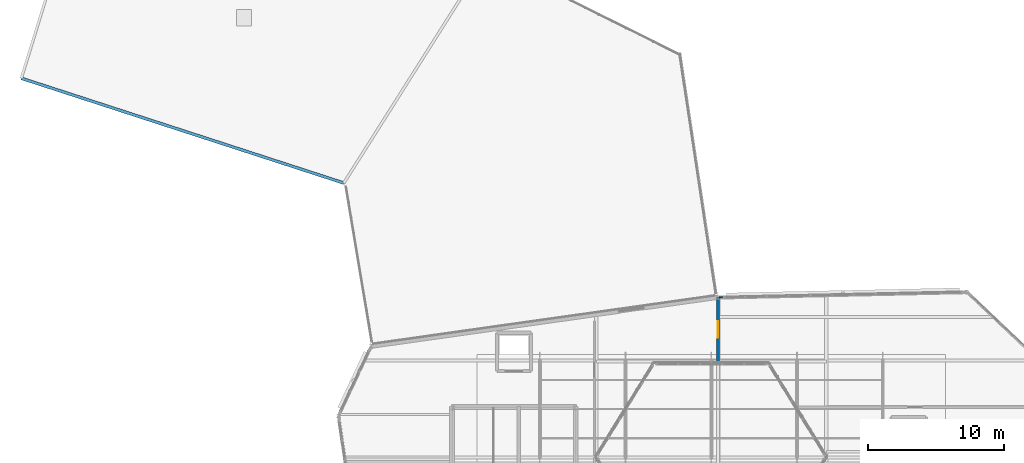
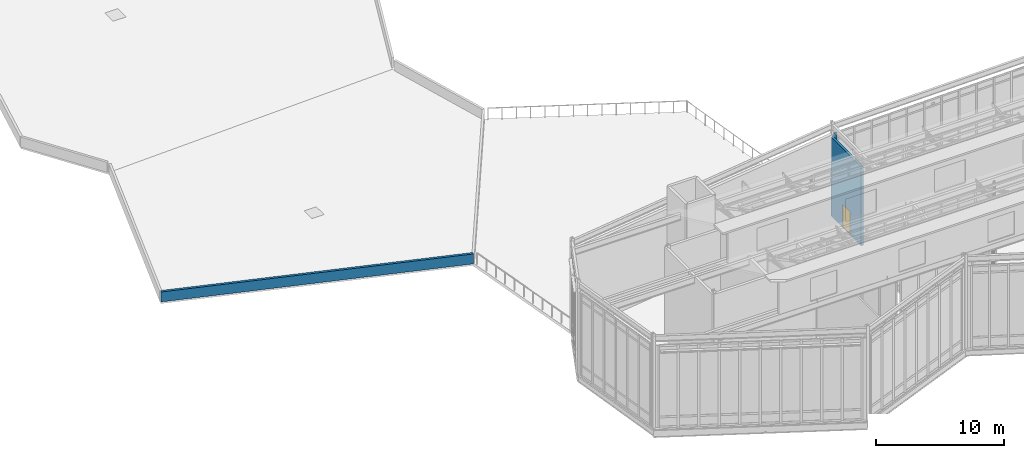
# One storey, part 55 of 66: 3 walls, 1 door, 1 opening.
"""IFC4 building model written with IfcOpenShell, lengths in metres."""

import ifcopenshell
import ifcopenshell.guid

model = None  # the IFC model being written
_history = None  # IfcOwnerHistory: only IFC2X3 demands one
_inside = {}  # id of a spatial element -> (the spatial element, [elements in it])
_under = {}  # id of a project, library or spatial element -> (it, [spatial elements below it])
_declared = {}  # id of a project -> (the project, [libraries it declares])
_typed = {}  # id of a type object -> (the type object, [elements of that type])
_made_of = {}  # id of a material, layer set ... -> (it, [elements and type objects made of it])


def new_model(schema):
    """Start an empty IFC model of exactly this schema.

    Asked for "IFC4X3", IfcOpenShell would pick the latest addendum, in which some entities
    have other attributes; the version numbers below select the first issue.
    IFC2X3 requires an IfcOwnerHistory on every rooted entity: one is made here for all.
    """
    global model, _history
    if schema == "IFC4X3":
        model = ifcopenshell.file(schema_version=(4, 3, 0, 0))
    else:
        model = ifcopenshell.file(schema=schema)
    _inside.clear()
    _under.clear()
    _declared.clear()
    _typed.clear()
    _made_of.clear()
    _history = None
    if model.schema == "IFC2X3":
        org = make("IfcOrganization", Name="unknown")
        user = make(
            "IfcPersonAndOrganization",
            ThePerson=make("IfcPerson", FamilyName="unknown"),
            TheOrganization=org,
        )
        app = make(
            "IfcApplication",
            ApplicationDeveloper=org,
            Version="unknown",
            ApplicationFullName="unknown",
            ApplicationIdentifier="unknown",
        )
        _history = make(
            "IfcOwnerHistory",
            OwningUser=user,
            OwningApplication=app,
            ChangeAction="ADDED",
            CreationDate=0,
        )
    return model


def make(cls, **values):
    """One entity of the class cls with the attributes given. An attribute that is None is left unset."""
    return model.create_entity(
        cls, **{name: value for name, value in values.items() if value is not None}
    )


def rooted(cls, **values):
    """An entity with a GlobalId (a new one), such as an element, a storey or a relation."""
    return make(cls, GlobalId=ifcopenshell.guid.new(), OwnerHistory=_history, **values)


def si_unit(unit_type, name, prefix=None):
    """IfcSIUnit, for example si_unit("LENGTHUNIT", "METRE", prefix="MILLI")."""
    return make("IfcSIUnit", UnitType=unit_type, Prefix=prefix, Name=name)


def assignment(units):
    """IfcUnitAssignment: the units of a project."""
    return None if units is None else make("IfcUnitAssignment", Units=units)


def point(xyz):
    """IfcCartesianPoint."""
    return None if xyz is None else make("IfcCartesianPoint", Coordinates=xyz)


def direction(xyz):
    """IfcDirection."""
    return None if xyz is None else make("IfcDirection", DirectionRatios=xyz)


def frame(location, z_axis=None, x_axis=None):
    """IfcAxis2Placement3D, a coordinate frame: its origin and axes. An axis left out is left unset."""
    return make(
        "IfcAxis2Placement3D",
        Location=point(location),
        Axis=direction(z_axis),
        RefDirection=direction(x_axis),
    )


def frame_2d(location, x_axis=None):
    """IfcAxis2Placement2D, a coordinate frame in the plane: its origin and x axis."""
    return make(
        "IfcAxis2Placement2D", Location=point(location), RefDirection=direction(x_axis)
    )


def origin():
    """The frame at (0, 0, 0) with its axes left unset."""
    return frame((0.0, 0.0, 0.0))


def place(relative_to, where):
    """IfcLocalPlacement: puts the frame where relative to a parent placement (None: the world)."""
    return make(
        "IfcLocalPlacement", PlacementRelTo=relative_to, RelativePlacement=where
    )


def context(
    kind, dimensions, precision=None, world=None, true_north=None, identifier=None
):
    """IfcGeometricRepresentationContext, for example the 3D "Model" context."""
    return make(
        "IfcGeometricRepresentationContext",
        ContextIdentifier=identifier,
        ContextType=kind,
        CoordinateSpaceDimension=dimensions,
        Precision=precision,
        WorldCoordinateSystem=world,
        TrueNorth=true_north,
    )


def subcontext(parent, identifier, kind, view, scale=None):
    """IfcGeometricRepresentationSubContext, for example "Body" below "Model"."""
    return make(
        "IfcGeometricRepresentationSubContext",
        ContextIdentifier=identifier,
        ContextType=kind,
        ParentContext=parent,
        TargetScale=scale,
        TargetView=view,
    )


def project(units=None, contexts=None):
    """IfcProject with its units and contexts."""
    return rooted(
        "IfcProject",
        Name="project",
        RepresentationContexts=contexts,
        UnitsInContext=assignment(units),
    )


def spatial(cls, under=None, at=None, **own):
    """A site, building, storey or space (cls), placed at a placement, below another one or the project."""
    s = rooted(cls, ObjectPlacement=at, **own)
    if under is not None:
        _under.setdefault(under.id(), (under, []))[1].append(s)
    return s


def profile(cls, at=None, kind="AREA", **sizes):
    """A parametric profile (cls). Its sizes go by their IFC names, for example OverallWidth=200.0."""
    return make(cls, ProfileType=kind, Position=at, **sizes)


def rectangle(**sizes):
    """IfcRectangleProfileDef."""
    return profile("IfcRectangleProfileDef", **sizes)


def extrude(swept, where, along, depth):
    """IfcExtrudedAreaSolid: the profile swept, set in the frame where, extruded along a direction by depth."""
    return make(
        "IfcExtrudedAreaSolid",
        SweptArea=swept,
        Position=where,
        ExtrudedDirection=direction(along),
        Depth=depth,
    )


def shape(context_of_items, identifier, shape_type, items):
    """IfcShapeRepresentation: the items that make up one representation, for example the "Body"."""
    return make(
        "IfcShapeRepresentation",
        ContextOfItems=context_of_items,
        RepresentationIdentifier=identifier,
        RepresentationType=shape_type,
        Items=items,
    )


def material(Name=None, Category=None):
    """IfcMaterial."""
    return make("IfcMaterial", Name=Name, Category=Category)


def layer(
    of_material, thickness, ventilated=None, Name=None, Category=None, Priority=None
):
    """IfcMaterialLayer: one layer of a wall or slab, of a material (None: an air gap)."""
    return make(
        "IfcMaterialLayer",
        Material=of_material,
        LayerThickness=thickness,
        IsVentilated=ventilated,
        Name=Name,
        Category=Category,
        Priority=Priority,
    )


def layer_set(layers, Name=None):
    """IfcMaterialLayerSet."""
    return make("IfcMaterialLayerSet", MaterialLayers=layers, LayerSetName=Name)


def made_of(thing, what):
    """Note that an element or type object is made of a material, layer set ...; save() writes the relation."""
    if what is not None:
        _made_of.setdefault(what.id(), (what, []))[1].append(thing)
    return thing


def type_object(cls, material=None, **own):
    """A type object (cls), such as IfcWallType, which elements share."""
    return made_of(rooted(cls, **own), material)


def element(
    cls,
    number,
    at=None,
    inside=None,
    cuts=None,
    type_object=None,
    material=None,
    context=None,
    identifier="Body",
    shape_type=None,
    held_by="IfcProductDefinitionShape",
    body=None,
    shapes=None,
    **own,
):
    """One element of the class cls, such as IfcWall. Its Tag is "e" and its number.

    at: its placement. inside: the storey or other place that contains it. cuts: it is an
    opening in that element (IfcRelVoidsElement). A single representation is given by context,
    identifier, shape_type and body (its items); several are given by shapes. held_by: the class
    of the entity that holds the representations. save() writes the other relations.
    """
    e = rooted(cls, Tag="e%d" % number, ObjectPlacement=at, **own)
    if body is not None:
        shapes = [shape(context, identifier, shape_type, body)]
    if shapes is not None:
        e.Representation = make(held_by, Representations=shapes)
    if inside is not None:
        _inside.setdefault(inside.id(), (inside, []))[1].append(e)
    if cuts is not None:
        rooted(
            "IfcRelVoidsElement", RelatingBuildingElement=cuts, RelatedOpeningElement=e
        )
    if type_object is not None:
        _typed.setdefault(type_object.id(), (type_object, []))[1].append(e)
    return made_of(e, material)


def fill(opening, filler):
    """IfcRelFillsElement: the door or window that sits in an opening."""
    return rooted(
        "IfcRelFillsElement",
        RelatingOpeningElement=opening,
        RelatedBuildingElement=filler,
    )


def aggregate(whole, parts):
    """IfcRelAggregates: a whole, such as a stair, and the parts it consists of."""
    return rooted("IfcRelAggregates", RelatingObject=whole, RelatedObjects=parts)


def save(model, path):
    """Write the relations noted so far, then the file.

    IfcRelAggregates (storeys below a building ...), IfcRelContainedInSpatialStructure (elements
    in a storey), IfcRelDefinesByType, IfcRelAssociatesMaterial and IfcRelDeclares: one each for
    every whole, place, type object, material and project.
    """
    for whole, parts in _under.values():
        aggregate(whole, parts)
    for where, things in _inside.values():
        rooted(
            "IfcRelContainedInSpatialStructure",
            RelatedElements=things,
            RelatingStructure=where,
        )
    for kind, things in _typed.values():
        rooted("IfcRelDefinesByType", RelatedObjects=things, RelatingType=kind)
    for what, things in _made_of.values():
        rooted("IfcRelAssociatesMaterial", RelatedObjects=things, RelatingMaterial=what)
    for by, libraries in _declared.values():
        rooted("IfcRelDeclares", RelatingContext=by, RelatedDefinitions=libraries)
    model.write(path)


model = new_model("IFC4")

# Units and contexts
model_context = context("Model", 3, precision=1e-05, world=origin(), true_north=direction((0.0, 1.0)))
body_context = subcontext(model_context, "Body", "Model", "MODEL_VIEW")
ifc_project = project(units=[si_unit("LENGTHUNIT", "METRE"), si_unit("AREAUNIT", "SQUARE_METRE"), si_unit("VOLUMEUNIT", "CUBIC_METRE"), si_unit("PLANEANGLEUNIT", "RADIAN"), si_unit("MASSUNIT", "GRAM", prefix="KILO")], contexts=[model_context])

# Site, building, storey
site_placement = place(None, origin())
site = spatial("IfcSite", under=ifc_project, at=site_placement, CompositionType="ELEMENT")
building_placement = place(site_placement, origin())
building = spatial("IfcBuilding", under=site, at=building_placement, Name="Tameran Prism Museum", CompositionType="ELEMENT")
storey_placement = place(building_placement, frame((0.0, 0.0, 19.800048828125)))
storey = spatial("IfcBuildingStorey", under=building, at=storey_placement, Name="L04", CompositionType="ELEMENT", Elevation=19.800048828125)

# Walls
ifc_material_1 = material(Name="Precast Concrete N40 (40 MPa)", Category="concrete")
ifc_layer_1 = layer(ifc_material_1, 0.094970703125)
ifc_layer_set_1 = layer_set([ifc_layer_1])
wall_type_1 = type_object("IfcWallType", Name="EW-CLOS-095", PredefinedType="SOLIDWALL", material=ifc_layer_set_1)
wall_1_placement = place(storey_placement, frame((77.60205078125, 48.201904296875, 0.0), z_axis=(0.0, 0.0, 1.0), x_axis=(0.999735659566, 0.022991541735, 0.0)))
element("IfcWall", 1, at=wall_1_placement, inside=storey, type_object=wall_type_1, Name="Facade Corner Closure EW-0452", PredefinedType="SOLIDWALL", context=body_context, shape_type="SweptSolid", body=[
    extrude(rectangle(XDim=0.307861328125, YDim=0.094970703125, at=frame_2d((0.15380859375, 0.0))), origin(), (0.0, 0.0, 1.0), 7.820068359375),
])
ifc_material_2 = material(Name="Precast Concrete N40 (40 MPa)", Category="concrete")
ifc_layer_2 = layer(ifc_material_2, 0.215087890625)
ifc_layer_set_2 = layer_set([ifc_layer_2])
wall_type_2 = type_object("IfcWallType", Name="EW-PAR-215", PredefinedType="PARAPET", material=ifc_layer_set_2)
wall_2_placement = place(storey_placement, frame((26.300048828125, 64.300048828125, 0.0), z_axis=(0.0, 0.0, 1.0), x_axis=(0.951063943279, -0.308994135535, 0.0)))
element("IfcWall", 2, at=wall_2_placement, inside=storey, type_object=wall_type_2, Name="Roof Parapet EP-024", PredefinedType="PARAPET", context=body_context, shape_type="SweptSolid", body=[
    extrude(rectangle(XDim=24.91943359375, YDim=0.215087890625, at=frame_2d((12.459716796875, 0.0))), origin(), (0.0, 0.0, 1.0), 0.949951171875),
])

# Wall, opening, door
ifc_material_3 = material(Name="Concrete N32 (32 MPa)", Category="concrete")
ifc_layer_3 = layer(ifc_material_3, 0.205078125)
ifc_layer_set_3 = layer_set([ifc_layer_3])
wall_type_3 = type_object("IfcWallType", Name="IW-CMP-205", PredefinedType="SOLIDWALL", material=ifc_layer_set_3)
wall_3_placement = place(storey_placement, frame((77.5, 43.5, 0.0), z_axis=(0.0, 0.0, 1.0), x_axis=(0.0, 1.0, 0.0)))
wall_3 = element("IfcWall", 3, at=wall_3_placement, inside=storey, type_object=wall_type_3, Name="Compartment Wall IW-0155", PredefinedType="SOLIDWALL", context=body_context, shape_type="SweptSolid", body=[
    extrude(rectangle(XDim=4.699951171875, YDim=0.205078125, at=frame_2d((2.35009765625, 0.0))), origin(), (0.0, 0.0, 1.0), 7.52001953125),
])
opening_placement = place(wall_3_placement, frame((1.75, 0.0, 0.0)))
opening = element("IfcOpeningElement", 4, at=opening_placement, cuts=wall_3, Name="Opening ID-0154", PredefinedType="OPENING", context=body_context, shape_type="SweptSolid", body=[
    extrude(rectangle(XDim=1.199951171875, YDim=2.199951171875, at=frame_2d((0.60009765625, 1.10009765625))), frame((0.0, 0.112548828125, 0.0), z_axis=(0.0, -1.0, 0.0), x_axis=(1.0, 0.0, 0.0)), (0.0, 0.0, 1.0), 0.22509765625),
])
ifc_material_4 = material(Name="Fire-Rated Steel Door Leaf and Frame", Category="steel")
door_type = type_object("IfcDoorType", Name="DR-FD-120A", OperationType="NOTDEFINED", PredefinedType="DOOR", material=ifc_material_4)
door_placement = place(opening_placement, origin())
door = element("IfcDoor", 5, at=door_placement, inside=storey, type_object=door_type, Name="Compartment Door ID-0154", OperationType="SINGLE_SWING_LEFT", OverallHeight=2.199951171875, OverallWidth=1.199951171875, PredefinedType="DOOR", context=body_context, shape_type="SweptSolid", body=[
    extrude(rectangle(XDim=1.199951171875, YDim=2.199951171875, at=frame_2d((0.60009765625, 1.10009765625))), frame((0.0, 0.02490234375, 0.0), z_axis=(0.0, -1.0, 0.0), x_axis=(1.0, 0.0, 0.0)), (0.0, 0.0, 1.0), 0.050048828125),
])
fill(opening, door)

save(model, "model.ifc")
